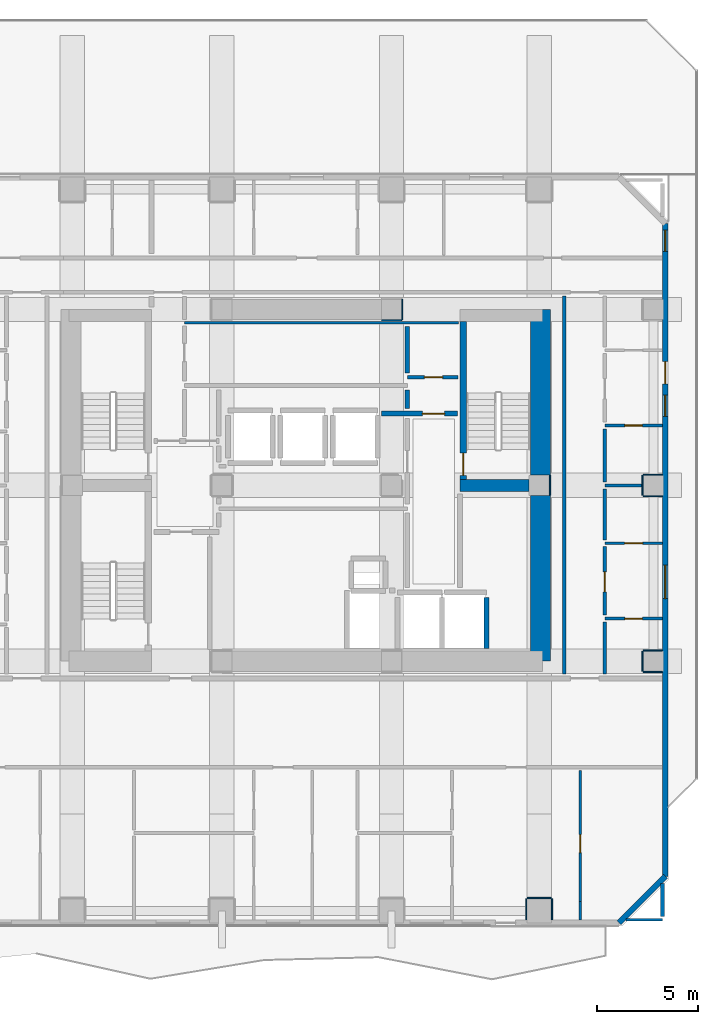
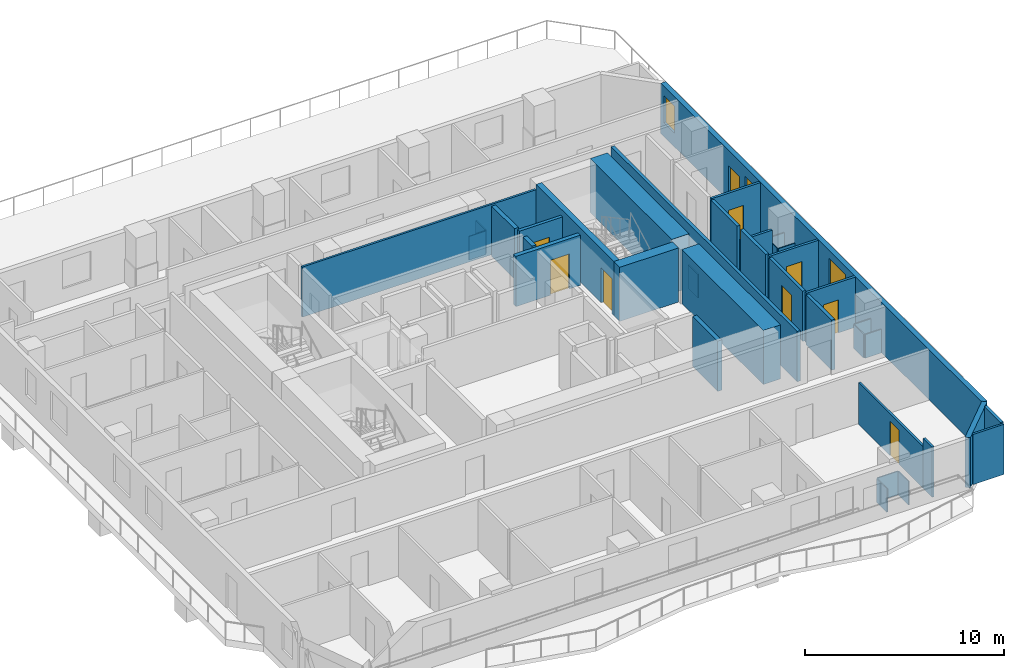
# One storey, part 5 of 11: 37 walls, 9 doors, 3 windows, 12 openings.
"""IFC4 building model written with IfcOpenShell, lengths in metres."""

from ifc_helpers import new_model, si_unit, direction, frame, frame_2d, origin, place, context, subcontext, project, spatial, rectangle, extrude, material, layer, layer_set, type_object, element, fill, save


model = new_model("IFC4")

# Units and contexts
model_context = context("Model", 3, precision=1e-05, world=origin(), true_north=direction((0.0, 1.0)))
body_context = subcontext(model_context, "Body", "Model", "MODEL_VIEW")
ifc_project = project(units=[si_unit("LENGTHUNIT", "METRE"), si_unit("AREAUNIT", "SQUARE_METRE"), si_unit("VOLUMEUNIT", "CUBIC_METRE"), si_unit("PLANEANGLEUNIT", "RADIAN"), si_unit("MASSUNIT", "GRAM", prefix="KILO")], contexts=[model_context])

# Site, building, storey
site_placement = place(None, origin())
site = spatial("IfcSite", under=ifc_project, at=site_placement, CompositionType="ELEMENT")
building_placement = place(site_placement, origin())
building = spatial("IfcBuilding", under=site, at=building_placement, Name="Solanera Arch Residences", CompositionType="ELEMENT")
storey_placement = place(building_placement, frame((0.0, 0.0, 106.080078125)))
storey = spatial("IfcBuildingStorey", under=building, at=storey_placement, Name="L30", CompositionType="ELEMENT", Elevation=106.080078125)

# Walls
ifc_material_1 = material(Name="Fire-Rated Gypsum Stud Partition", Category="gypsum")
ifc_layer_1 = layer(ifc_material_1, 0.06005859375)
ifc_layer_set_1 = layer_set([ifc_layer_1], Name="Fire-Rated Gypsum Stud Partition")
wall_type_1 = type_object("IfcWallType", Name="Column Acoustic Furring Wall 60", PredefinedType="PARTITIONING", material=ifc_layer_set_1)
for number, where, z_axis, x_axis, name in (
    (1, (28.699951171875, 38.867919921875, 0.0), (0.0, 0.0, 1.0), (1.0, 0.0, 0.0), "L30 Column Furring 4S"),
    (2, (29.73193359375, 38.89990234375, 0.0), (0.0, 0.0, 1.0), (0.0, 1.0, 0.0), "L30 Column Furring 4E"),
):
    element("IfcWall", number, at=place(storey_placement, frame(where, z_axis=z_axis, x_axis=x_axis)), inside=storey, type_object=wall_type_1, Name=name, PredefinedType="PARTITIONING", context=body_context, shape_type="SweptSolid", body=[
        extrude(rectangle(XDim=1.0, YDim=0.06005859375, at=frame_2d((0.5, 0.0))), origin(), (0.0, 0.0, 1.0), 1.449951171875),
    ])
wall_1_placement = place(storey_placement, frame((37.031982421875, 30.2099609375, 0.0), z_axis=(0.0, 0.0, 1.0), x_axis=(0.0, 1.0, 0.0)))
element("IfcWall", 3, at=wall_1_placement, inside=storey, type_object=wall_type_1, Name="L30 Column Furring 6E", PredefinedType="PARTITIONING", context=body_context, shape_type="SweptSolid", body=[
    extrude(rectangle(XDim=0.97998046875, YDim=0.06005859375, at=frame_2d((0.489990234375, 0.0))), origin(), (0.0, 0.0, 1.0), 1.449951171875),
])
wall_2_placement = place(storey_placement, frame((35.89990234375, 10.281982421875, 0.0), z_axis=(0.0, 0.0, 1.0), x_axis=(1.0, 0.0, 0.0)))
element("IfcWall", 4, at=wall_2_placement, inside=storey, type_object=wall_type_1, Name="L30 Column Furring 15N", PredefinedType="PARTITIONING", context=body_context, shape_type="SweptSolid", body=[
    extrude(rectangle(XDim=1.2001953125, YDim=0.06005859375, at=frame_2d((0.60009765625, 0.0))), origin(), (0.0, 0.0, 1.0), 1.449951171875),
])
for number, where, z_axis, x_axis, name in (
    (5, (35.867919921875, 9.2099609375, 0.0), (0.0, 0.0, 1.0), (0.0, 1.0, 0.0), "L30 Column Furring 15W"),
    (6, (37.132080078125, 9.2099609375, 0.0), (0.0, 0.0, 1.0), (0.0, 1.0, 0.0), "L30 Column Furring 15E"),
):
    element("IfcWall", number, at=place(storey_placement, frame(where, z_axis=z_axis, x_axis=x_axis)), inside=storey, type_object=wall_type_1, Name=name, PredefinedType="PARTITIONING", context=body_context, shape_type="SweptSolid", body=[
        extrude(rectangle(XDim=1.0400390625, YDim=0.06005859375, at=frame_2d((0.52001953125, 0.0))), origin(), (0.0, 0.0, 1.0), 1.449951171875),
    ])
for number, where, z_axis, x_axis, name in (
    (7, (41.64990234375, 21.468017578125, 0.0), (0.0, 0.0, 1.0), (1.0, 0.0, 0.0), "L30 Column Furring 18S"),
    (8, (41.64990234375, 22.531982421875, 0.0), (0.0, 0.0, 1.0), (1.0, 0.0, 0.0), "L30 Column Furring 18N"),
):
    element("IfcWall", number, at=place(storey_placement, frame(where, z_axis=z_axis, x_axis=x_axis)), inside=storey, type_object=wall_type_1, Name=name, PredefinedType="PARTITIONING", context=body_context, shape_type="SweptSolid", body=[
        extrude(rectangle(XDim=0.940185546875, YDim=0.06005859375, at=frame_2d((0.47021484375, 0.0))), origin(), (0.0, 0.0, 1.0), 1.449951171875),
    ])
wall_3_placement = place(storey_placement, frame((41.617919921875, 21.5, 0.0), z_axis=(0.0, 0.0, 1.0), x_axis=(0.0, 1.0, 0.0)))
element("IfcWall", 9, at=wall_3_placement, inside=storey, type_object=wall_type_1, Name="L30 Column Furring 18W", PredefinedType="PARTITIONING", context=body_context, shape_type="SweptSolid", body=[
    extrude(rectangle(XDim=1.0, YDim=0.06005859375, at=frame_2d((0.5, 0.0))), origin(), (0.0, 0.0, 1.0), 1.449951171875),
])
for number, where, z_axis, x_axis, name in (
    (10, (41.64990234375, 30.16796875, 0.0), (0.0, 0.0, 1.0), (1.0, 0.0, 0.0), "L30 Column Furring 20S"),
    (11, (41.64990234375, 31.23193359375, 0.0), (0.0, 0.0, 1.0), (1.0, 0.0, 0.0), "L30 Column Furring 20N"),
):
    element("IfcWall", number, at=place(storey_placement, frame(where, z_axis=z_axis, x_axis=x_axis)), inside=storey, type_object=wall_type_1, Name=name, PredefinedType="PARTITIONING", context=body_context, shape_type="SweptSolid", body=[
        extrude(rectangle(XDim=0.940185546875, YDim=0.06005859375, at=frame_2d((0.47021484375, 0.0))), origin(), (0.0, 0.0, 1.0), 1.449951171875),
    ])
wall_4_placement = place(storey_placement, frame((41.617919921875, 30.199951171875, 0.0), z_axis=(0.0, 0.0, 1.0), x_axis=(0.0, 1.0, 0.0)))
element("IfcWall", 12, at=wall_4_placement, inside=storey, type_object=wall_type_1, Name="L30 Column Furring 20W", PredefinedType="PARTITIONING", context=body_context, shape_type="SweptSolid", body=[
    extrude(rectangle(XDim=1.0, YDim=0.06005859375, at=frame_2d((0.5, 0.0))), origin(), (0.0, 0.0, 1.0), 1.449951171875),
])
ifc_material_2 = material(Name="Concrete C55/67 (f'c = 60 MPa)", Category="concrete")
ifc_layer_2 = layer(ifc_material_2, 1.0)
ifc_layer_set_2 = layer_set([ifc_layer_2], Name="Concrete C55/67 (f'c = 60 MPa)")
wall_type_2 = type_object("IfcWallType", Name="Core Shear Wall CW-1000", PredefinedType="SHEAR", material=ifc_layer_set_2)
wall_5_placement = place(storey_placement, frame((36.56005859375, 22.0, 0.0), z_axis=(0.0, 0.0, 1.0), x_axis=(0.0, 1.0, 0.0)))
element("IfcWall", 13, at=wall_5_placement, inside=storey, type_object=wall_type_2, Name="L30 East Core South Shear Wall", PredefinedType="SHEAR", context=body_context, shape_type="SweptSolid", body=[
    extrude(rectangle(XDim=8.195068359375, YDim=1.0, at=frame_2d((4.09765625, 0.0))), origin(), (0.0, 0.0, 1.0), 3.31982421875),
])
wall_6_placement = place(storey_placement, frame((36.56005859375, 31.205078125, 0.0), z_axis=(0.0, 0.0, 1.0), x_axis=(0.0, 1.0, 0.0)))
element("IfcWall", 14, at=wall_6_placement, inside=storey, type_object=wall_type_2, Name="L30 East Core North Shear Wall", PredefinedType="SHEAR", context=body_context, shape_type="SweptSolid", body=[
    extrude(rectangle(XDim=8.19482421875, YDim=1.0, at=frame_2d((4.097412109375, 0.0))), origin(), (0.0, 0.0, 1.0), 3.31982421875),
])

# Wall, opening, door
ifc_material_3 = material(Name="Concrete C40/50 (f'c = 45 MPa)", Category="concrete")
ifc_layer_3 = layer(ifc_material_3, 0.320068359375)
ifc_layer_set_3 = layer_set([ifc_layer_3], Name="Concrete C40/50 (f'c = 45 MPa)")
wall_type_3 = type_object("IfcWallType", Name="Core Shear Wall CW-320", PredefinedType="SHEAR", material=ifc_layer_set_3)
wall_7_placement = place(storey_placement, frame((32.739990234375, 31.0, 0.0), z_axis=(0.0, 0.0, 1.0), x_axis=(0.0, 1.0, 0.0)))
wall_7 = element("IfcWall", 15, at=wall_7_placement, inside=storey, type_object=wall_type_3, Name="L30 Stair ST-T2 West Shear Wall", PredefinedType="SHEAR", context=body_context, shape_type="SweptSolid", body=[
    extrude(rectangle(XDim=7.800048828125, YDim=0.320068359375, at=frame_2d((3.89990234375, 0.0))), origin(), (0.0, 0.0, 1.0), 3.31982421875),
])
opening_1_placement = place(wall_7_placement, frame((0.18994140625, 0.0, 0.0)))
opening_1 = element("IfcOpeningElement", 16, at=opening_1_placement, cuts=wall_7, Name="Opening DF-01", PredefinedType="OPENING", context=body_context, shape_type="SweptSolid", body=[
    extrude(rectangle(XDim=1.10009765625, YDim=2.14990234375, at=frame_2d((0.550048828125, 1.074951171875))), frame((0.0, 0.169921875, 0.0), z_axis=(0.0, -1.0, 0.0), x_axis=(1.0, 0.0, 0.0)), (0.0, 0.0, 1.0), 0.3401),
])
ifc_material_4 = material(Name="Fire-Rated Architectural Hardwood", Category="wood")
door_type_1 = type_object("IfcDoorType", Name="Stair Exit Fire Door DF-01", OperationType="NOTDEFINED", PredefinedType="DOOR", material=ifc_material_4)
door_1_placement = place(opening_1_placement, origin())
door_1 = element("IfcDoor", 17, at=door_1_placement, inside=storey, type_object=door_type_1, Name="DR-L30-STAIR-ST-T2", OperationType="SINGLE_SWING_LEFT", OverallHeight=2.14990234375, OverallWidth=1.10009765625, PredefinedType="DOOR", context=body_context, shape_type="SweptSolid", body=[
    extrude(rectangle(XDim=1.10009765625, YDim=2.14990234375, at=frame_2d((0.550048828125, 1.074951171875))), frame((0.0, 0.02490234375, 0.0), z_axis=(0.0, -1.0, 0.0), x_axis=(1.0, 0.0, 0.0)), (0.0, 0.0, 1.0), 0.050048828125),
])
fill(opening_1, door_1)

# Wall
ifc_material_5 = material(Name="Concrete C40/50 (f'c = 45 MPa)", Category="concrete")
ifc_layer_4 = layer(ifc_material_5, 0.60009765625)
ifc_layer_set_4 = layer_set([ifc_layer_4], Name="Concrete C40/50 (f'c = 45 MPa)")
wall_type_4 = type_object("IfcWallType", Name="Core Shear Wall CW-600", PredefinedType="SHEAR", material=ifc_layer_set_4)
wall_8_placement = place(storey_placement, frame((32.580078125, 30.699951171875, 0.0), z_axis=(0.0, 0.0, 1.0), x_axis=(1.0, 0.0, 0.0)))
element("IfcWall", 18, at=wall_8_placement, inside=storey, type_object=wall_type_4, Name="L30 East Stair Far-Landing Shear Wall", PredefinedType="SHEAR", context=body_context, shape_type="SweptSolid", body=[
    extrude(rectangle(XDim=3.4150390625, YDim=0.60009765625, at=frame_2d((1.70751953125, 0.0))), origin(), (0.0, 0.0, 1.0), 3.31982421875),
])

# Wall, opening, door
ifc_material_6 = material(Name="Autoclaved Aerated Concrete Blockwork", Category="masonry")
ifc_layer_5 = layer(ifc_material_6, 0.179931640625)
ifc_layer_set_5 = layer_set([ifc_layer_5], Name="Autoclaved Aerated Concrete Blockwork")
wall_type_5 = type_object("IfcWallType", Name="Corridor Fire Partition 180", PredefinedType="PARTITIONING", material=ifc_layer_set_5)
wall_9_placement = place(storey_placement, frame((29.97509765625, 36.050048828125, 0.0), z_axis=(0.0, 0.0, 1.0), x_axis=(1.0, 0.0, 0.0)))
wall_9 = element("IfcWall", 19, at=wall_9_placement, inside=storey, type_object=wall_type_5, Name="L30 Interior Partition H10", PredefinedType="PARTITIONING", context=body_context, shape_type="SweptSolid", body=[
    extrude(rectangle(XDim=2.5048828125, YDim=0.179931640625, at=frame_2d((1.25244140625, 0.0))), origin(), (0.0, 0.0, 1.0), 3.079833984375),
])
opening_2_placement = place(wall_9_placement, frame((0.85205078125, 0.0, 0.0)))
opening_2 = element("IfcOpeningElement", 20, at=opening_2_placement, cuts=wall_9, Name="Opening DI-02", PredefinedType="OPENING", context=body_context, shape_type="SweptSolid", body=[
    extrude(rectangle(XDim=0.89990234375, YDim=2.10009765625, at=frame_2d((0.449951171875, 1.050048828125))), frame((0.0, 0.10009765625, 0.0), z_axis=(0.0, -1.0, 0.0), x_axis=(1.0, 0.0, 0.0)), (0.0, 0.0, 1.0), 0.1999),
])
ifc_material_7 = material(Name="Fire-Rated Architectural Hardwood", Category="wood")
door_type_2 = type_object("IfcDoorType", Name="Suite Room Swing Door DI-02", OperationType="NOTDEFINED", PredefinedType="DOOR", material=ifc_material_7)
door_2_placement = place(opening_2_placement, origin())
door_2 = element("IfcDoor", 21, at=door_2_placement, inside=storey, type_object=door_type_2, Name="DR-L30-IN-015", OperationType="SINGLE_SWING_RIGHT", OverallHeight=2.10009765625, OverallWidth=0.89990234375, PredefinedType="DOOR", context=body_context, shape_type="SweptSolid", body=[
    extrude(rectangle(XDim=0.89990234375, YDim=2.10009765625, at=frame_2d((0.449951171875, 1.050048828125))), frame((0.0, 0.02490234375, 0.0), z_axis=(0.0, -1.0, 0.0), x_axis=(1.0, 0.0, 0.0)), (0.0, 0.0, 1.0), 0.050048828125),
])
fill(opening_2, door_2)

# Walls
wall_10_placement = place(storey_placement, frame((37.75, 21.367919921875, 0.0), z_axis=(0.0, 0.0, 1.0), x_axis=(0.0, 1.0, 0.0)))
element("IfcWall", 22, at=wall_10_placement, inside=storey, type_object=wall_type_5, Name="L30 Interior Partition V12", PredefinedType="PARTITIONING", context=body_context, shape_type="SweptSolid", body=[
    extrude(rectangle(XDim=18.694091796875, YDim=0.179931640625, at=frame_2d((9.34716796875, 0.0))), origin(), (0.0, 0.0, 1.0), 3.079833984375),
])
wall_11_placement = place(storey_placement, frame((39.75, 21.367919921875, 0.0), z_axis=(0.0, 0.0, 1.0), x_axis=(0.0, 1.0, 0.0)))
element("IfcWall", 23, at=wall_11_placement, inside=storey, type_object=wall_type_5, Name="L30 Interior Partition V13 1", PredefinedType="PARTITIONING", context=body_context, shape_type="SweptSolid", body=[
    extrude(rectangle(XDim=2.576171875, YDim=0.179931640625, at=frame_2d((1.2880859375, 0.0))), origin(), (0.0, 0.0, 1.0), 3.079833984375),
])

# Wall, opening, door
wall_12_placement = place(storey_placement, frame((39.75, 24.280029296875, 0.0), z_axis=(0.0, 0.0, 1.0), x_axis=(0.0, 1.0, 0.0)))
wall_12 = element("IfcWall", 24, at=wall_12_placement, inside=storey, type_object=wall_type_5, Name="L30 Interior Partition V13 2", PredefinedType="PARTITIONING", context=body_context, shape_type="SweptSolid", body=[
    extrude(rectangle(XDim=3.386962890625, YDim=0.179931640625, at=frame_2d((1.693359375, 0.0))), origin(), (0.0, 0.0, 1.0), 3.079833984375),
])
opening_3_placement = place(wall_12_placement, frame((1.14501953125, 0.0, 0.0)))
opening_3 = element("IfcOpeningElement", 25, at=opening_3_placement, cuts=wall_12, Name="Opening DI-01", PredefinedType="OPENING", context=body_context, shape_type="SweptSolid", body=[
    extrude(rectangle(XDim=1.0, YDim=2.14990234375, at=frame_2d((0.5, 1.074951171875))), frame((0.0, 0.10009765625, 0.0), z_axis=(0.0, -1.0, 0.0), x_axis=(1.0, 0.0, 0.0)), (0.0, 0.0, 1.0), 0.1999),
])
ifc_material_8 = material(Name="Fire-Rated Architectural Hardwood", Category="wood")
door_type_3 = type_object("IfcDoorType", Name="Unit Entrance Fire Door DI-01", OperationType="NOTDEFINED", PredefinedType="DOOR", material=ifc_material_8)
door_3_placement = place(opening_3_placement, origin())
door_3 = element("IfcDoor", 26, at=door_3_placement, inside=storey, type_object=door_type_3, Name="DR-L30-IN-044", OperationType="SINGLE_SWING_LEFT", OverallHeight=2.14990234375, OverallWidth=1.0, PredefinedType="DOOR", context=body_context, shape_type="SweptSolid", body=[
    extrude(rectangle(XDim=1.0, YDim=2.14990234375, at=frame_2d((0.5, 1.074951171875))), frame((0.0, 0.02490234375, 0.0), z_axis=(0.0, -1.0, 0.0), x_axis=(1.0, 0.0, 0.0)), (0.0, 0.0, 1.0), 0.050048828125),
])
fill(opening_3, door_3)

# Walls
wall_13_placement = place(storey_placement, frame((39.75, 28.0029296875, 0.0), z_axis=(0.0, 0.0, 1.0), x_axis=(0.0, 1.0, 0.0)))
element("IfcWall", 27, at=wall_13_placement, inside=storey, type_object=wall_type_5, Name="L30 Interior Partition V13 3", PredefinedType="PARTITIONING", context=body_context, shape_type="SweptSolid", body=[
    extrude(rectangle(XDim=2.529052734375, YDim=0.179931640625, at=frame_2d((1.2646484375, 0.0))), origin(), (0.0, 0.0, 1.0), 3.079833984375),
])
wall_14_placement = place(storey_placement, frame((39.75, 30.867919921875, 0.0), z_axis=(0.0, 0.0, 1.0), x_axis=(0.0, 1.0, 0.0)))
element("IfcWall", 28, at=wall_14_placement, inside=storey, type_object=wall_type_5, Name="L30 Interior Partition V13 4", PredefinedType="PARTITIONING", context=body_context, shape_type="SweptSolid", body=[
    extrude(rectangle(XDim=2.6259765625, YDim=0.179931640625, at=frame_2d((1.31298828125, 0.0))), origin(), (0.0, 0.0, 1.0), 3.079833984375),
])
wall_15_placement = place(storey_placement, frame((42.60009765625, 9.35791015625, 0.0), z_axis=(0.0, 0.0, 1.0), x_axis=(0.0, 1.0, 0.0)))
element("IfcWall", 29, at=wall_15_placement, inside=storey, type_object=wall_type_5, Name="L30 Interior Partition V14 1", PredefinedType="PARTITIONING", context=body_context, shape_type="SweptSolid", body=[
    extrude(rectangle(XDim=1.63720703125, YDim=0.179931640625, at=frame_2d((0.818603515625, 0.0))), origin(), (0.0, 0.0, 1.0), 3.079833984375),
])

# Wall, openings, door, windows
ifc_material_9 = material(Name="Precast Concrete C35/45", Category="concrete")
ifc_layer_6 = layer(ifc_material_9, 0.280029296875)
ifc_layer_set_6 = layer_set([ifc_layer_6], Name="Precast Concrete C35/45")
wall_type_6 = type_object("IfcWallType", Name="Exterior Wall Precast Masonry-Frame 280", PredefinedType="STANDARD", material=ifc_layer_set_6)
wall_16_placement = place(storey_placement, frame((42.7451171875, 43.64501953125, 0.0), z_axis=(0.0, 0.0, 1.0), x_axis=(0.0, -1.0, 0.0)))
wall_16 = element("IfcWall", 30, at=wall_16_placement, inside=storey, type_object=wall_type_6, Name="L30 Tower Exterior Precast Masonry-Frame Wall E", PredefinedType="STANDARD", context=body_context, shape_type="SweptSolid", body=[
    extrude(rectangle(XDim=32.2900390625, YDim=0.280029296875, at=frame_2d((16.14501953125, 0.0))), origin(), (0.0, 0.0, 1.0), 3.079833984375),
])
opening_4_placement = place(wall_16_placement, frame((6.821044921875, 0.0, 0.0)))
opening_4 = element("IfcOpeningElement", 31, at=opening_4_placement, cuts=wall_16, Name="Opening DB-02", PredefinedType="OPENING", context=body_context, shape_type="SweptSolid", body=[
    extrude(rectangle(XDim=1.10009765625, YDim=2.14990234375, at=frame_2d((0.550048828125, 1.074951171875))), frame((0.0, 0.14990234375, 0.0), z_axis=(0.0, -1.0, 0.0), x_axis=(1.0, 0.0, 0.0)), (0.0, 0.0, 1.0), 0.3),
])
opening_5_placement = place(wall_16_placement, frame((0.318115234375, 0.0, 0.85009765625)))
opening_5 = element("IfcOpeningElement", 32, at=opening_5_placement, cuts=wall_16, Name="Opening W-07", PredefinedType="OPENING", context=body_context, shape_type="SweptSolid", body=[
    extrude(rectangle(XDim=1.050048828125, YDim=1.64990234375, at=frame_2d((0.52490234375, 0.824951171875))), frame((0.0, 0.14990234375, 0.0), z_axis=(0.0, -1.0, 0.0), x_axis=(1.0, 0.0, 0.0)), (0.0, 0.0, 1.0), 0.3),
])
opening_6_placement = place(wall_16_placement, frame((16.89501953125, 0.0, 0.85009765625)))
opening_6 = element("IfcOpeningElement", 33, at=opening_6_placement, cuts=wall_16, Name="Opening W-08", PredefinedType="OPENING", context=body_context, shape_type="SweptSolid", body=[
    extrude(rectangle(XDim=1.64990234375, YDim=1.75, at=frame_2d((0.824951171875, 0.875))), frame((0.0, 0.14990234375, 0.0), z_axis=(0.0, -1.0, 0.0), x_axis=(1.0, 0.0, 0.0)), (0.0, 0.0, 1.0), 0.3),
])
opening_7_placement = place(wall_16_placement, frame((8.47705078125, 0.0, 0.85009765625)))
opening_7 = element("IfcOpeningElement", 34, at=opening_7_placement, cuts=wall_16, Name="Opening W-07", PredefinedType="OPENING", context=body_context, shape_type="SweptSolid", body=[
    extrude(rectangle(XDim=1.050048828125, YDim=1.64990234375, at=frame_2d((0.52490234375, 0.824951171875))), frame((0.0, 0.14990234375, 0.0), z_axis=(0.0, -1.0, 0.0), x_axis=(1.0, 0.0, 0.0)), (0.0, 0.0, 1.0), 0.3),
])
ifc_material_10 = material(Name="Anodised Aluminium Alloy 6063-T6", Category="aluminium")
door_type_4 = type_object("IfcDoorType", Name="Glazed Terrace Swing Door DB-02", OperationType="NOTDEFINED", PredefinedType="DOOR", material=ifc_material_10)
door_4_placement = place(opening_4_placement, origin())
door_4 = element("IfcDoor", 35, at=door_4_placement, inside=storey, type_object=door_type_4, Name="DR-L30-OUT-03", OperationType="SINGLE_SWING_RIGHT", OverallHeight=2.14990234375, OverallWidth=1.10009765625, PredefinedType="DOOR", context=body_context, shape_type="SweptSolid", body=[
    extrude(rectangle(XDim=1.10009765625, YDim=2.14990234375, at=frame_2d((0.550048828125, 1.074951171875))), frame((0.0, 0.02490234375, 0.0), z_axis=(0.0, -1.0, 0.0), x_axis=(1.0, 0.0, 0.0)), (0.0, 0.0, 1.0), 0.050048828125),
])
fill(opening_4, door_4)
ifc_material_11 = material(Name="Double Glazed Low-E Laminated Glass", Category="glass")
window_type_1 = type_object("IfcWindowType", Name="Punched Window W-07", PartitioningType="SINGLE_PANEL", PredefinedType="WINDOW", material=ifc_material_11)
window_1_placement = place(opening_5_placement, origin())
window_1 = element("IfcWindow", 36, at=window_1_placement, inside=storey, type_object=window_type_1, Name="L30 AMN-OFF Punched Window", OverallHeight=1.64990234375, OverallWidth=1.050048828125, PartitioningType="SINGLE_PANEL", PredefinedType="WINDOW", context=body_context, shape_type="SweptSolid", body=[
    extrude(rectangle(XDim=1.050048828125, YDim=1.64990234375, at=frame_2d((0.52490234375, 0.824951171875))), frame((0.0, 0.030029296875, 0.0), z_axis=(0.0, -1.0, 0.0), x_axis=(1.0, 0.0, 0.0)), (0.0, 0.0, 1.0), 0.06005859375),
])
fill(opening_5, window_1)
window_2_placement = place(opening_7_placement, origin())
window_2 = element("IfcWindow", 37, at=window_2_placement, inside=storey, type_object=window_type_1, Name="L30 3009-LIV Punched Window", OverallHeight=1.64990234375, OverallWidth=1.050048828125, PartitioningType="SINGLE_PANEL", PredefinedType="WINDOW", context=body_context, shape_type="SweptSolid", body=[
    extrude(rectangle(XDim=1.050048828125, YDim=1.64990234375, at=frame_2d((0.52490234375, 0.824951171875))), frame((0.0, 0.030029296875, 0.0), z_axis=(0.0, -1.0, 0.0), x_axis=(1.0, 0.0, 0.0)), (0.0, 0.0, 1.0), 0.06005859375),
])
fill(opening_7, window_2)
ifc_material_12 = material(Name="Double Glazed Low-E Laminated Glass", Category="glass")
window_type_2 = type_object("IfcWindowType", Name="Punched Window W-08", PartitioningType="DOUBLE_PANEL_HORIZONTAL", PredefinedType="WINDOW", material=ifc_material_12)
window_3_placement = place(opening_6_placement, origin())
window_3 = element("IfcWindow", 38, at=window_3_placement, inside=storey, type_object=window_type_2, Name="L30 3008-LIV Punched Window", OverallHeight=1.75, OverallWidth=1.64990234375, PartitioningType="SINGLE_PANEL", PredefinedType="WINDOW", context=body_context, shape_type="SweptSolid", body=[
    extrude(rectangle(XDim=1.64990234375, YDim=1.75, at=frame_2d((0.824951171875, 0.875))), frame((0.0, 0.030029296875, 0.0), z_axis=(0.0, -1.0, 0.0), x_axis=(1.0, 0.0, 0.0)), (0.0, 0.0, 1.0), 0.06005859375),
])
fill(opening_6, window_3)

# Walls
wall_17_placement = place(storey_placement, frame((42.7451171875, 11.35498046875, 0.0), z_axis=(0.0, 0.0, 1.0), x_axis=(-0.707106781187, -0.707106781187, 0.0)))
element("IfcWall", 39, at=wall_17_placement, inside=storey, type_object=wall_type_6, Name="L30 Tower Exterior Precast Masonry-Frame Wall CH5", PredefinedType="STANDARD", context=body_context, shape_type="SweptSolid", body=[
    extrude(rectangle(XDim=3.252685546875, YDim=0.280029296875, at=frame_2d((1.62646484375, 0.0))), origin(), (0.0, 0.0, 1.0), 3.079833984375),
])
ifc_material_13 = material(Name="Autoclaved Aerated Concrete Blockwork", Category="masonry")
ifc_layer_7 = layer(ifc_material_13, 0.239990234375)
ifc_layer_set_7 = layer_set([ifc_layer_7], Name="Autoclaved Aerated Concrete Blockwork")
wall_type_7 = type_object("IfcWallType", Name="Shaft Wall Fire-Rated 240", PredefinedType="PARTITIONING", material=ifc_layer_set_7)
wall_18_placement = place(storey_placement, frame((33.89990234375, 22.6298828125, 0.0), z_axis=(0.0, 0.0, 1.0), x_axis=(0.0, 1.0, 0.0)))
element("IfcWall", 40, at=wall_18_placement, inside=storey, type_object=wall_type_7, Name="L30 Lift FFL-2 Hoistway Wall E", PredefinedType="PARTITIONING", context=body_context, shape_type="SweptSolid", body=[
    extrude(rectangle(XDim=2.522216796875, YDim=0.239990234375, at=frame_2d((1.26123046875, 0.0))), origin(), (0.0, 0.0, 1.0), 3.079833984375),
])

# Wall, opening, door
wall_19_placement = place(storey_placement, frame((28.701904296875, 34.25, 0.0), z_axis=(0.0, 0.0, 1.0), x_axis=(1.0, 0.0, 0.0)))
wall_19 = element("IfcWall", 41, at=wall_19_placement, inside=storey, type_object=wall_type_7, Name="L30 Interior Partition H5", PredefinedType="PARTITIONING", context=body_context, shape_type="SweptSolid", body=[
    extrude(rectangle(XDim=3.748046875, YDim=0.239990234375, at=frame_2d((1.8740234375, 0.0))), origin(), (0.0, 0.0, 1.0), 3.079833984375),
])
opening_8_placement = place(wall_19_placement, frame((2.02490234375, 0.0, 0.0)))
opening_8 = element("IfcOpeningElement", 42, at=opening_8_placement, cuts=wall_19, Name="Opening DF-02", PredefinedType="OPENING", context=body_context, shape_type="SweptSolid", body=[
    extrude(rectangle(XDim=1.10009765625, YDim=2.14990234375, at=frame_2d((0.550048828125, 1.074951171875))), frame((0.0, 0.1298828125, 0.0), z_axis=(0.0, -1.0, 0.0), x_axis=(1.0, 0.0, 0.0)), (0.0, 0.0, 1.0), 0.26),
])
ifc_material_14 = material(Name="Fire-Rated Architectural Hardwood", Category="wood")
door_type_5 = type_object("IfcDoorType", Name="Firefighting Lobby Fire Door DF-02", OperationType="NOTDEFINED", PredefinedType="DOOR", material=ifc_material_14)
door_5_placement = place(opening_8_placement, origin())
door_5 = element("IfcDoor", 43, at=door_5_placement, inside=storey, type_object=door_type_5, Name="DR-L30-IN-007", OperationType="SINGLE_SWING_RIGHT", OverallHeight=2.14990234375, OverallWidth=1.10009765625, PredefinedType="DOOR", context=body_context, shape_type="SweptSolid", body=[
    extrude(rectangle(XDim=1.10009765625, YDim=2.14990234375, at=frame_2d((0.550048828125, 1.074951171875))), frame((0.0, 0.02490234375, 0.0), z_axis=(0.0, -1.0, 0.0), x_axis=(1.0, 0.0, 0.0)), (0.0, 0.0, 1.0), 0.050048828125),
])
fill(opening_8, door_5)

# Walls
wall_20_placement = place(storey_placement, frame((29.97509765625, 34.498046875, 0.0), z_axis=(0.0, 0.0, 1.0), x_axis=(0.0, 1.0, 0.0)))
element("IfcWall", 44, at=wall_20_placement, inside=storey, type_object=wall_type_7, Name="L30 Interior Partition V5 3", PredefinedType="PARTITIONING", context=body_context, shape_type="SweptSolid", body=[
    extrude(rectangle(XDim=0.924072265625, YDim=0.239990234375, at=frame_2d((0.4619140625, 0.0))), origin(), (0.0, 0.0, 1.0), 3.079833984375),
])
wall_21_placement = place(storey_placement, frame((29.97509765625, 36.26806640625, 0.0), z_axis=(0.0, 0.0, 1.0), x_axis=(0.0, 1.0, 0.0)))
element("IfcWall", 45, at=wall_21_placement, inside=storey, type_object=wall_type_7, Name="L30 Interior Partition V5 4", PredefinedType="PARTITIONING", context=body_context, shape_type="SweptSolid", body=[
    extrude(rectangle(XDim=2.2939453125, YDim=0.239990234375, at=frame_2d((1.14697265625, 0.0))), origin(), (0.0, 0.0, 1.0), 3.079833984375),
])
ifc_material_15 = material(Name="Fire-Rated Gypsum Stud Partition", Category="gypsum")
ifc_layer_8 = layer(ifc_material_15, 0.1201171875)
ifc_layer_set_8 = layer_set([ifc_layer_8], Name="Fire-Rated Gypsum Stud Partition")
wall_type_8 = type_object("IfcWallType", Name="Unit Drywall Partition 120", PredefinedType="PARTITIONING", material=ifc_layer_set_8)
wall_22_placement = place(storey_placement, frame((40.804931640625, 9.199951171875, 0.0), z_axis=(0.0, 0.0, 1.0), x_axis=(1.0, 0.0, 0.0)))
element("IfcWall", 46, at=wall_22_placement, inside=storey, type_object=wall_type_8, Name="L30 Interior Partition H25 2", PredefinedType="PARTITIONING", context=body_context, shape_type="SweptSolid", body=[
    extrude(rectangle(XDim=1.795166015625, YDim=0.1201171875, at=frame_2d((0.8974609375, 0.0))), origin(), (0.0, 0.0, 1.0), 3.079833984375),
])
wall_23_placement = place(storey_placement, frame((18.949951171875, 38.75, 0.0), z_axis=(0.0, 0.0, 1.0), x_axis=(1.0, 0.0, 0.0)))
element("IfcWall", 47, at=wall_23_placement, inside=storey, type_object=wall_type_8, Name="L30 Interior Partition H28", PredefinedType="PARTITIONING", context=body_context, shape_type="SweptSolid", body=[
    extrude(rectangle(XDim=13.56005859375, YDim=0.1201171875, at=frame_2d((6.780029296875, 0.0))), origin(), (0.0, 0.0, 1.0), 3.079833984375),
])
wall_24_placement = place(storey_placement, frame((38.528076171875, 9.20703125, 0.0), z_axis=(0.0, 0.0, 1.0), x_axis=(0.0, 1.0, 0.0)))
element("IfcWall", 48, at=wall_24_placement, inside=storey, type_object=wall_type_8, Name="L30 Interior Partition V29 1", PredefinedType="PARTITIONING", context=body_context, shape_type="SweptSolid", body=[
    extrude(rectangle(XDim=0.89404296875, YDim=0.1201171875, at=frame_2d((0.447021484375, 0.0))), origin(), (0.0, 0.0, 1.0), 3.079833984375),
])

# Wall, opening, door
wall_25_placement = place(storey_placement, frame((38.528076171875, 10.10107421875, 0.0), z_axis=(0.0, 0.0, 1.0), x_axis=(0.0, 1.0, 0.0)))
wall_25 = element("IfcWall", 49, at=wall_25_placement, inside=storey, type_object=wall_type_8, Name="L30 Interior Partition V29 2", PredefinedType="PARTITIONING", context=body_context, shape_type="SweptSolid", body=[
    extrude(rectangle(XDim=6.490966796875, YDim=0.1201171875, at=frame_2d((3.24560546875, 0.0))), origin(), (0.0, 0.0, 1.0), 2.56494140625),
])
opening_9_placement = place(wall_25_placement, frame((2.424072265625, 0.0, 0.0)))
opening_9 = element("IfcOpeningElement", 50, at=opening_9_placement, cuts=wall_25, Name="Opening DI-02", PredefinedType="OPENING", context=body_context, shape_type="SweptSolid", body=[
    extrude(rectangle(XDim=0.89990234375, YDim=2.10009765625, at=frame_2d((0.449951171875, 1.050048828125))), frame((0.0, 0.070068359375, 0.0), z_axis=(0.0, -1.0, 0.0), x_axis=(1.0, 0.0, 0.0)), (0.0, 0.0, 1.0), 0.1401),
])
door_6_placement = place(opening_9_placement, origin())
door_6 = element("IfcDoor", 51, at=door_6_placement, inside=storey, type_object=door_type_2, Name="DR-L30-IN-028", OperationType="SINGLE_SWING_LEFT", OverallHeight=2.10009765625, OverallWidth=0.89990234375, PredefinedType="DOOR", context=body_context, shape_type="SweptSolid", body=[
    extrude(rectangle(XDim=0.89990234375, YDim=2.10009765625, at=frame_2d((0.449951171875, 1.050048828125))), frame((0.0, 0.02490234375, 0.0), z_axis=(0.0, -1.0, 0.0), x_axis=(1.0, 0.0, 0.0)), (0.0, 0.0, 1.0), 0.050048828125),
])
fill(opening_9, door_6)

ifc_material_16 = material(Name="Autoclaved Aerated Concrete Blockwork", Category="masonry")
ifc_layer_9 = layer(ifc_material_16, 0.139892578125)
ifc_layer_set_9 = layer_set([ifc_layer_9], Name="Autoclaved Aerated Concrete Blockwork")
wall_type_9 = type_object("IfcWallType", Name="Wet-Room Partition 140", PredefinedType="PARTITIONING", material=ifc_layer_set_9)
wall_26_placement = place(storey_placement, frame((39.75, 24.112060546875, 0.0), z_axis=(0.0, 0.0, 1.0), x_axis=(1.0, 0.0, 0.0)))
wall_26 = element("IfcWall", 52, at=wall_26_placement, inside=storey, type_object=wall_type_9, Name="L30 Interior Partition H16", PredefinedType="PARTITIONING", context=body_context, shape_type="SweptSolid", body=[
    extrude(rectangle(XDim=2.843017578125, YDim=0.139892578125, at=frame_2d((1.42138671875, 0.0))), origin(), (0.0, 0.0, 1.0), 3.079833984375),
])
opening_10_placement = place(wall_26_placement, frame((0.9951171875, 0.0, 0.0)))
opening_10 = element("IfcOpeningElement", 53, at=opening_10_placement, cuts=wall_26, Name="Opening DI-05", PredefinedType="OPENING", context=body_context, shape_type="SweptSolid", body=[
    extrude(rectangle(XDim=0.860107421875, YDim=2.02001953125, at=frame_2d((0.43017578125, 1.010009765625))), frame((0.0, 0.079833984375, 0.0), z_axis=(0.0, -1.0, 0.0), x_axis=(1.0, 0.0, 0.0)), (0.0, 0.0, 1.0), 0.1599),
])
ifc_material_17 = material(Name="Fire-Rated Architectural Hardwood", Category="wood")
door_type_6 = type_object("IfcDoorType", Name="Bathroom Swing Door DI-05", OperationType="NOTDEFINED", PredefinedType="DOOR", material=ifc_material_17)
door_7_placement = place(opening_10_placement, origin())
door_7 = element("IfcDoor", 54, at=door_7_placement, inside=storey, type_object=door_type_6, Name="DR-L30-IN-045", OperationType="SINGLE_SWING_RIGHT", OverallHeight=2.02001953125, OverallWidth=0.860107421875, PredefinedType="DOOR", context=body_context, shape_type="SweptSolid", body=[
    extrude(rectangle(XDim=0.860107421875, YDim=2.02001953125, at=frame_2d((0.43017578125, 1.010009765625))), frame((0.0, 0.02490234375, 0.0), z_axis=(0.0, -1.0, 0.0), x_axis=(1.0, 0.0, 0.0)), (0.0, 0.0, 1.0), 0.050048828125),
])
fill(opening_10, door_7)

wall_27_placement = place(storey_placement, frame((39.75, 27.8349609375, 0.0), z_axis=(0.0, 0.0, 1.0), x_axis=(1.0, 0.0, 0.0)))
wall_27 = element("IfcWall", 55, at=wall_27_placement, inside=storey, type_object=wall_type_9, Name="L30 Interior Partition H18", PredefinedType="PARTITIONING", context=body_context, shape_type="SweptSolid", body=[
    extrude(rectangle(XDim=2.843017578125, YDim=0.139892578125, at=frame_2d((1.42138671875, 0.0))), origin(), (0.0, 0.0, 1.0), 3.079833984375),
])
opening_11_placement = place(wall_27_placement, frame((0.97509765625, 0.0, 0.0)))
opening_11 = element("IfcOpeningElement", 56, at=opening_11_placement, cuts=wall_27, Name="Opening DI-02", PredefinedType="OPENING", context=body_context, shape_type="SweptSolid", body=[
    extrude(rectangle(XDim=0.89990234375, YDim=2.10009765625, at=frame_2d((0.449951171875, 1.050048828125))), frame((0.0, 0.079833984375, 0.0), z_axis=(0.0, -1.0, 0.0), x_axis=(1.0, 0.0, 0.0)), (0.0, 0.0, 1.0), 0.1599),
])
door_8_placement = place(opening_11_placement, origin())
door_8 = element("IfcDoor", 57, at=door_8_placement, inside=storey, type_object=door_type_2, Name="DR-L30-IN-046", OperationType="SINGLE_SWING_LEFT", OverallHeight=2.10009765625, OverallWidth=0.89990234375, PredefinedType="DOOR", context=body_context, shape_type="SweptSolid", body=[
    extrude(rectangle(XDim=0.89990234375, YDim=2.10009765625, at=frame_2d((0.449951171875, 1.050048828125))), frame((0.0, 0.02490234375, 0.0), z_axis=(0.0, -1.0, 0.0), x_axis=(1.0, 0.0, 0.0)), (0.0, 0.0, 1.0), 0.050048828125),
])
fill(opening_11, door_8)

# Wall
wall_28_placement = place(storey_placement, frame((39.75, 30.699951171875, 0.0), z_axis=(0.0, 0.0, 1.0), x_axis=(1.0, 0.0, 0.0)))
element("IfcWall", 58, at=wall_28_placement, inside=storey, type_object=wall_type_9, Name="L30 Interior Partition H20", PredefinedType="PARTITIONING", context=body_context, shape_type="SweptSolid", body=[
    extrude(rectangle(XDim=1.818115234375, YDim=0.139892578125, at=frame_2d((0.9091796875, 0.0))), origin(), (0.0, 0.0, 1.0), 2.31494140625),
])

# Wall, opening, door
wall_29_placement = place(storey_placement, frame((39.75, 33.662109375, 0.0), z_axis=(0.0, 0.0, 1.0), x_axis=(1.0, 0.0, 0.0)))
wall_29 = element("IfcWall", 59, at=wall_29_placement, inside=storey, type_object=wall_type_9, Name="L30 Interior Partition H21", PredefinedType="PARTITIONING", context=body_context, shape_type="SweptSolid", body=[
    extrude(rectangle(XDim=2.843017578125, YDim=0.139892578125, at=frame_2d((1.42138671875, 0.0))), origin(), (0.0, 0.0, 1.0), 3.079833984375),
])
opening_12_placement = place(wall_29_placement, frame((0.9951171875, 0.0, 0.0)))
opening_12 = element("IfcOpeningElement", 60, at=opening_12_placement, cuts=wall_29, Name="Opening DI-05", PredefinedType="OPENING", context=body_context, shape_type="SweptSolid", body=[
    extrude(rectangle(XDim=0.860107421875, YDim=2.02001953125, at=frame_2d((0.43017578125, 1.010009765625))), frame((0.0, 0.079833984375, 0.0), z_axis=(0.0, -1.0, 0.0), x_axis=(1.0, 0.0, 0.0)), (0.0, 0.0, 1.0), 0.1599),
])
door_9_placement = place(opening_12_placement, origin())
door_9 = element("IfcDoor", 61, at=door_9_placement, inside=storey, type_object=door_type_6, Name="DR-L30-IN-048", OperationType="SINGLE_SWING_LEFT", OverallHeight=2.02001953125, OverallWidth=0.860107421875, PredefinedType="DOOR", context=body_context, shape_type="SweptSolid", body=[
    extrude(rectangle(XDim=0.860107421875, YDim=2.02001953125, at=frame_2d((0.43017578125, 1.010009765625))), frame((0.0, 0.02490234375, 0.0), z_axis=(0.0, -1.0, 0.0), x_axis=(1.0, 0.0, 0.0)), (0.0, 0.0, 1.0), 0.050048828125),
])
fill(opening_12, door_9)

save(model, "model.ifc")
